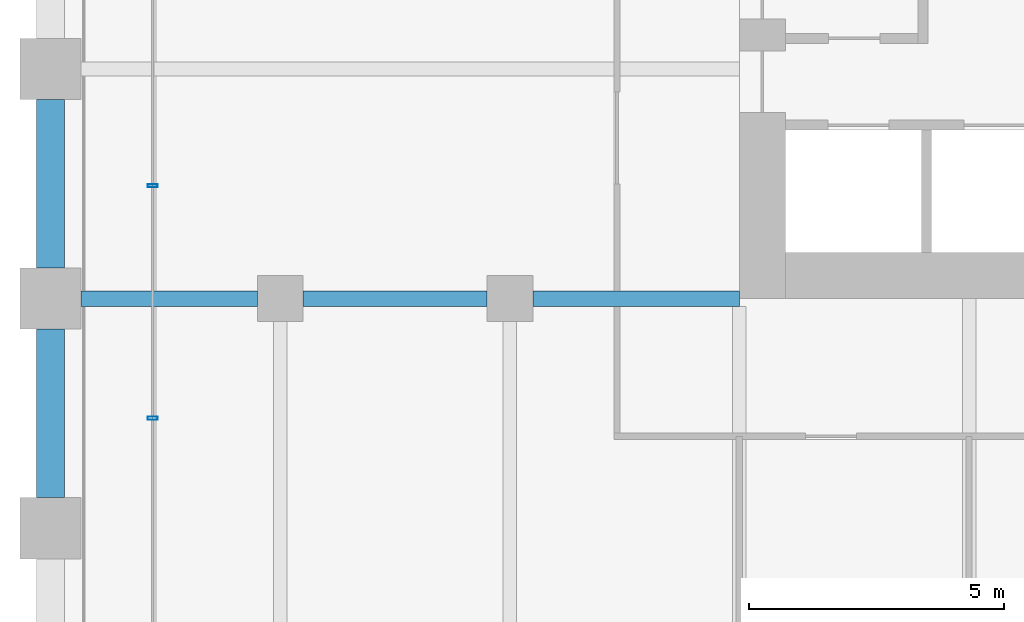
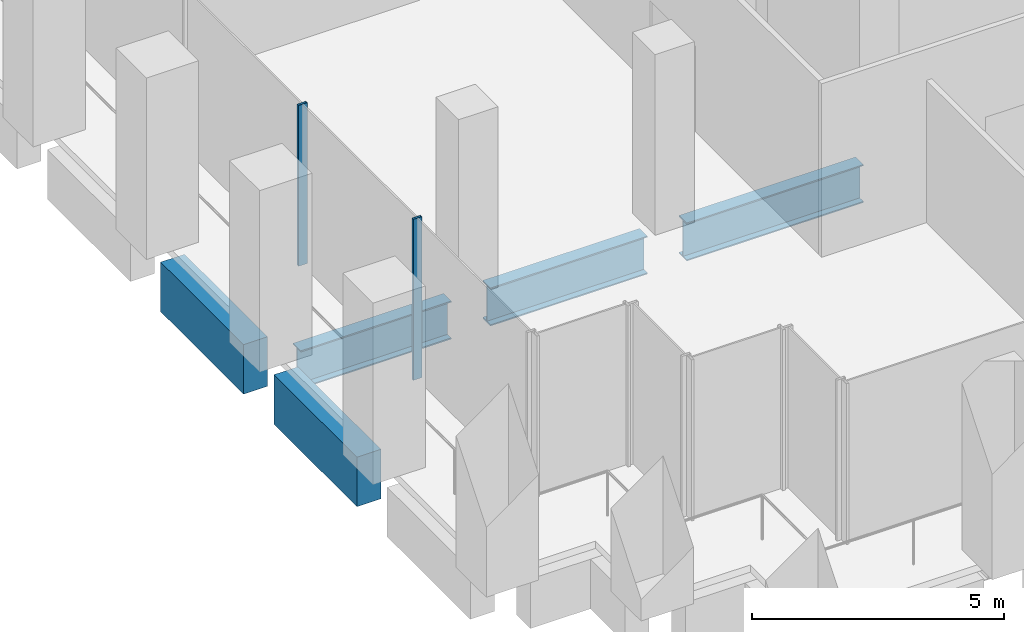
# One storey, part 4 of 36: 5 beams, 2 members, 1 element without a shape of its own.
"""IFC4 building model written with IfcOpenShell, lengths in metres."""

import ifcopenshell
import ifcopenshell.guid

model = None  # the IFC model being written
_history = None  # IfcOwnerHistory: only IFC2X3 demands one
_inside = {}  # id of a spatial element -> (the spatial element, [elements in it])
_under = {}  # id of a project, library or spatial element -> (it, [spatial elements below it])
_declared = {}  # id of a project -> (the project, [libraries it declares])
_typed = {}  # id of a type object -> (the type object, [elements of that type])
_made_of = {}  # id of a material, layer set ... -> (it, [elements and type objects made of it])


def new_model(schema):
    """Start an empty IFC model of exactly this schema.

    Asked for "IFC4X3", IfcOpenShell would pick the latest addendum, in which some entities
    have other attributes; the version numbers below select the first issue.
    IFC2X3 requires an IfcOwnerHistory on every rooted entity: one is made here for all.
    """
    global model, _history
    if schema == "IFC4X3":
        model = ifcopenshell.file(schema_version=(4, 3, 0, 0))
    else:
        model = ifcopenshell.file(schema=schema)
    _inside.clear()
    _under.clear()
    _declared.clear()
    _typed.clear()
    _made_of.clear()
    _history = None
    if model.schema == "IFC2X3":
        org = make("IfcOrganization", Name="unknown")
        user = make(
            "IfcPersonAndOrganization",
            ThePerson=make("IfcPerson", FamilyName="unknown"),
            TheOrganization=org,
        )
        app = make(
            "IfcApplication",
            ApplicationDeveloper=org,
            Version="unknown",
            ApplicationFullName="unknown",
            ApplicationIdentifier="unknown",
        )
        _history = make(
            "IfcOwnerHistory",
            OwningUser=user,
            OwningApplication=app,
            ChangeAction="ADDED",
            CreationDate=0,
        )
    return model


def make(cls, **values):
    """One entity of the class cls with the attributes given. An attribute that is None is left unset."""
    return model.create_entity(
        cls, **{name: value for name, value in values.items() if value is not None}
    )


def rooted(cls, **values):
    """An entity with a GlobalId (a new one), such as an element, a storey or a relation."""
    return make(cls, GlobalId=ifcopenshell.guid.new(), OwnerHistory=_history, **values)


def si_unit(unit_type, name, prefix=None):
    """IfcSIUnit, for example si_unit("LENGTHUNIT", "METRE", prefix="MILLI")."""
    return make("IfcSIUnit", UnitType=unit_type, Prefix=prefix, Name=name)


def assignment(units):
    """IfcUnitAssignment: the units of a project."""
    return None if units is None else make("IfcUnitAssignment", Units=units)


def point(xyz):
    """IfcCartesianPoint."""
    return None if xyz is None else make("IfcCartesianPoint", Coordinates=xyz)


def direction(xyz):
    """IfcDirection."""
    return None if xyz is None else make("IfcDirection", DirectionRatios=xyz)


def frame(location, z_axis=None, x_axis=None):
    """IfcAxis2Placement3D, a coordinate frame: its origin and axes. An axis left out is left unset."""
    return make(
        "IfcAxis2Placement3D",
        Location=point(location),
        Axis=direction(z_axis),
        RefDirection=direction(x_axis),
    )


def frame_2d(location, x_axis=None):
    """IfcAxis2Placement2D, a coordinate frame in the plane: its origin and x axis."""
    return make(
        "IfcAxis2Placement2D", Location=point(location), RefDirection=direction(x_axis)
    )


def origin():
    """The frame at (0, 0, 0) with its axes left unset."""
    return frame((0.0, 0.0, 0.0))


def origin_2d():
    """The frame at (0, 0) in the plane with its x axis left unset."""
    return frame_2d((0.0, 0.0))


def place(relative_to, where):
    """IfcLocalPlacement: puts the frame where relative to a parent placement (None: the world)."""
    return make(
        "IfcLocalPlacement", PlacementRelTo=relative_to, RelativePlacement=where
    )


def context(
    kind, dimensions, precision=None, world=None, true_north=None, identifier=None
):
    """IfcGeometricRepresentationContext, for example the 3D "Model" context."""
    return make(
        "IfcGeometricRepresentationContext",
        ContextIdentifier=identifier,
        ContextType=kind,
        CoordinateSpaceDimension=dimensions,
        Precision=precision,
        WorldCoordinateSystem=world,
        TrueNorth=true_north,
    )


def subcontext(parent, identifier, kind, view, scale=None):
    """IfcGeometricRepresentationSubContext, for example "Body" below "Model"."""
    return make(
        "IfcGeometricRepresentationSubContext",
        ContextIdentifier=identifier,
        ContextType=kind,
        ParentContext=parent,
        TargetScale=scale,
        TargetView=view,
    )


def project(units=None, contexts=None):
    """IfcProject with its units and contexts."""
    return rooted(
        "IfcProject",
        Name="project",
        RepresentationContexts=contexts,
        UnitsInContext=assignment(units),
    )


def spatial(cls, under=None, at=None, **own):
    """A site, building, storey or space (cls), placed at a placement, below another one or the project."""
    s = rooted(cls, ObjectPlacement=at, **own)
    if under is not None:
        _under.setdefault(under.id(), (under, []))[1].append(s)
    return s


def profile(cls, at=None, kind="AREA", **sizes):
    """A parametric profile (cls). Its sizes go by their IFC names, for example OverallWidth=200.0."""
    return make(cls, ProfileType=kind, Position=at, **sizes)


def rectangle(**sizes):
    """IfcRectangleProfileDef."""
    return profile("IfcRectangleProfileDef", **sizes)


def hollow_rectangle(**sizes):
    """IfcRectangleHollowProfileDef."""
    return profile("IfcRectangleHollowProfileDef", **sizes)


def i_section(**sizes):
    """IfcIShapeProfileDef."""
    return profile("IfcIShapeProfileDef", **sizes)


def extrude(swept, where, along, depth):
    """IfcExtrudedAreaSolid: the profile swept, set in the frame where, extruded along a direction by depth."""
    return make(
        "IfcExtrudedAreaSolid",
        SweptArea=swept,
        Position=where,
        ExtrudedDirection=direction(along),
        Depth=depth,
    )


def shape(context_of_items, identifier, shape_type, items):
    """IfcShapeRepresentation: the items that make up one representation, for example the "Body"."""
    return make(
        "IfcShapeRepresentation",
        ContextOfItems=context_of_items,
        RepresentationIdentifier=identifier,
        RepresentationType=shape_type,
        Items=items,
    )


def material(Name=None, Category=None):
    """IfcMaterial."""
    return make("IfcMaterial", Name=Name, Category=Category)


def material_profile(
    of_material, cross_section, Name=None, Category=None, Priority=None
):
    """IfcMaterialProfile: a cross section and its material."""
    return make(
        "IfcMaterialProfile",
        Name=Name,
        Material=of_material,
        Profile=cross_section,
        Priority=Priority,
        Category=Category,
    )


def profile_set(profiles, Name=None, composite=None):
    """IfcMaterialProfileSet."""
    return make(
        "IfcMaterialProfileSet",
        Name=Name,
        MaterialProfiles=profiles,
        CompositeProfile=composite,
    )


def made_of(thing, what):
    """Note that an element or type object is made of a material, layer set ...; save() writes the relation."""
    if what is not None:
        _made_of.setdefault(what.id(), (what, []))[1].append(thing)
    return thing


def type_object(cls, material=None, **own):
    """A type object (cls), such as IfcWallType, which elements share."""
    return made_of(rooted(cls, **own), material)


def element(
    cls,
    number,
    at=None,
    inside=None,
    cuts=None,
    type_object=None,
    material=None,
    context=None,
    identifier="Body",
    shape_type=None,
    held_by="IfcProductDefinitionShape",
    body=None,
    shapes=None,
    **own,
):
    """One element of the class cls, such as IfcWall. Its Tag is "e" and its number.

    at: its placement. inside: the storey or other place that contains it. cuts: it is an
    opening in that element (IfcRelVoidsElement). A single representation is given by context,
    identifier, shape_type and body (its items); several are given by shapes. held_by: the class
    of the entity that holds the representations. save() writes the other relations.
    """
    e = rooted(cls, Tag="e%d" % number, ObjectPlacement=at, **own)
    if body is not None:
        shapes = [shape(context, identifier, shape_type, body)]
    if shapes is not None:
        e.Representation = make(held_by, Representations=shapes)
    if inside is not None:
        _inside.setdefault(inside.id(), (inside, []))[1].append(e)
    if cuts is not None:
        rooted(
            "IfcRelVoidsElement", RelatingBuildingElement=cuts, RelatedOpeningElement=e
        )
    if type_object is not None:
        _typed.setdefault(type_object.id(), (type_object, []))[1].append(e)
    return made_of(e, material)


def aggregate(whole, parts):
    """IfcRelAggregates: a whole, such as a stair, and the parts it consists of."""
    return rooted("IfcRelAggregates", RelatingObject=whole, RelatedObjects=parts)


def save(model, path):
    """Write the relations noted so far, then the file.

    IfcRelAggregates (storeys below a building ...), IfcRelContainedInSpatialStructure (elements
    in a storey), IfcRelDefinesByType, IfcRelAssociatesMaterial and IfcRelDeclares: one each for
    every whole, place, type object, material and project.
    """
    for whole, parts in _under.values():
        aggregate(whole, parts)
    for where, things in _inside.values():
        rooted(
            "IfcRelContainedInSpatialStructure",
            RelatedElements=things,
            RelatingStructure=where,
        )
    for kind, things in _typed.values():
        rooted("IfcRelDefinesByType", RelatedObjects=things, RelatingType=kind)
    for what, things in _made_of.values():
        rooted("IfcRelAssociatesMaterial", RelatedObjects=things, RelatingMaterial=what)
    for by, libraries in _declared.values():
        rooted("IfcRelDeclares", RelatingContext=by, RelatedDefinitions=libraries)
    model.write(path)


model = new_model("IFC4")

# Units and contexts
model_context = context("Model", 3, precision=1e-05, world=origin(), true_north=direction((0.0, 1.0)))
body_context = subcontext(model_context, "Body", "Model", "MODEL_VIEW")
ifc_project = project(units=[si_unit("LENGTHUNIT", "METRE"), si_unit("AREAUNIT", "SQUARE_METRE"), si_unit("VOLUMEUNIT", "CUBIC_METRE"), si_unit("PLANEANGLEUNIT", "RADIAN"), si_unit("MASSUNIT", "GRAM", prefix="KILO")], contexts=[model_context])

# Site, building, storey
site_placement = place(None, origin())
site = spatial("IfcSite", under=ifc_project, at=site_placement, CompositionType="ELEMENT")
building_placement = place(site_placement, origin())
building = spatial("IfcBuilding", under=site, at=building_placement, Name="Altepetl Exchange Towers", CompositionType="ELEMENT")
storey_placement = place(building_placement, frame((0.0, 0.0, 38.60009765625)))
storey = spatial("IfcBuildingStorey", under=building, at=storey_placement, Name="L08", CompositionType="ELEMENT", Elevation=38.60009765625)

# Beams
ifc_material_1 = material(Name="Steel S355", Category="steel")
ifc_material_profile_1 = material_profile(ifc_material_1, i_section(OverallWidth=0.306884765625, OverallDepth=0.923095703125, WebThickness=0.018310546875, FlangeThickness=0.030029296875, at=origin_2d()), Name="W36X182")
ifc_profile_set_1 = profile_set([ifc_material_profile_1], Name="Steel S355")
beam_type_1 = type_object("IfcBeamType", Name="Girder W36X182", PredefinedType="BEAM", material=ifc_profile_set_1)
beam_1_placement = place(storey_placement, frame((40.5, 40.5, -0.63671875), z_axis=(-1.0, 0.0, 0.0), x_axis=(0.0, -1.0, 0.0)))
element("IfcBeam", 1, at=beam_1_placement, inside=storey, type_object=beam_type_1, Name="gd:A:L08:009", PredefinedType="BEAM", context=body_context, shape_type="SweptSolid", body=[
    extrude(i_section(OverallWidth=0.306884765625, OverallDepth=0.923095703125, WebThickness=0.018310546875, FlangeThickness=0.030029296875, at=origin_2d()), origin(), (0.0, 0.0, 1.0), 4.050048828125),
])
beam_2_placement = place(storey_placement, frame((35.550048828125, 40.5, -0.63671875), z_axis=(-1.0, 0.0, 0.0), x_axis=(0.0, -1.0, 0.0)))
element("IfcBeam", 2, at=beam_2_placement, inside=storey, type_object=beam_type_1, Name="gd:A:L08:010", PredefinedType="BEAM", context=body_context, shape_type="SweptSolid", body=[
    extrude(i_section(OverallWidth=0.306884765625, OverallDepth=0.923095703125, WebThickness=0.018310546875, FlangeThickness=0.030029296875, at=origin_2d()), origin(), (0.0, 0.0, 1.0), 3.60009765625),
])
beam_3_placement = place(storey_placement, frame((31.050048828125, 40.5, -0.63671875), z_axis=(-1.0, 0.0, 0.0), x_axis=(0.0, -1.0, 0.0)))
element("IfcBeam", 3, at=beam_3_placement, inside=storey, type_object=beam_type_1, Name="gd:A:L08:011", PredefinedType="BEAM", context=body_context, shape_type="SweptSolid", body=[
    extrude(i_section(OverallWidth=0.306884765625, OverallDepth=0.923095703125, WebThickness=0.018310546875, FlangeThickness=0.030029296875, at=origin_2d()), origin(), (0.0, 0.0, 1.0), 3.449951171875),
])

# Curtain wall, members
ifc_material_2 = material(Name="Aluminium 6063-T6 glazing", Category="aluminium")
curtain_wall_type = type_object("IfcCurtainWallType", Name="Trading floor glazing system", PredefinedType="NOTDEFINED", material=ifc_material_2)
curtain_wall_placement = place(storey_placement, origin())
curtain_wall = element("IfcCurtainWall", 4, at=curtain_wall_placement, inside=storey, type_object=curtain_wall_type, Name="CW2 run", PredefinedType="NOTDEFINED")
ifc_material_3 = material(Name="Aluminium 6063-T6", Category="aluminium")
ifc_material_profile_2 = material_profile(ifc_material_3, hollow_rectangle(XDim=0.06005859375, YDim=0.199951171875, WallThickness=0.0029296875, at=origin_2d()), Name="Mullion 60x200 aluminium")
ifc_profile_set_2 = profile_set([ifc_material_profile_2], Name="Aluminium 6063-T6")
member_type = type_object("IfcMemberType", Name="Mullion 60x200 aluminium", PredefinedType="MULLION", material=ifc_profile_set_2)
member_1_placement = place(storey_placement, frame((29.0, 42.71435546875, 0.0), z_axis=(0.0, 0.0, 1.0), x_axis=(0.0, -1.0, 0.0)))
member_1 = element("IfcMember", 5, at=member_1_placement, type_object=member_type, Name="MU2 mullion", PredefinedType="MULLION", context=body_context, shape_type="SweptSolid", body=[
    extrude(hollow_rectangle(XDim=0.06005859375, YDim=0.199951171875, WallThickness=0.0029296875, at=origin_2d()), origin(), (0.0, 0.0, 1.0), 3.89990234375),
])
member_2_placement = place(storey_placement, frame((29.0, 38.1572265625, 0.0), z_axis=(0.0, 0.0, 1.0), x_axis=(0.0, -1.0, 0.0)))
member_2 = element("IfcMember", 6, at=member_2_placement, type_object=member_type, Name="MU2 mullion", PredefinedType="MULLION", context=body_context, shape_type="SweptSolid", body=[
    extrude(hollow_rectangle(XDim=0.06005859375, YDim=0.199951171875, WallThickness=0.0029296875, at=origin_2d()), origin(), (0.0, 0.0, 1.0), 3.89990234375),
])
aggregate(curtain_wall, [member_1, member_2])

# Beams
ifc_material_4 = material(Name="Concrete C50/60 precast with cantera blanca facing", Category="concrete")
ifc_material_profile_3 = material_profile(ifc_material_4, rectangle(XDim=0.550048828125, YDim=1.199951171875, at=origin_2d()), Name="550 x 1200")
ifc_profile_set_3 = profile_set([ifc_material_profile_3], Name="Concrete C50/60 precast with cantera blanca facing")
beam_type_2 = type_object("IfcBeamType", Name="Spandrel beam 550x1200 cantera blanca", PredefinedType="SPANDREL", material=ifc_profile_set_3)
beam_4_placement = place(storey_placement, frame((27.0, 39.89990234375, -0.775146484375), z_axis=(0.0, -1.0, 0.0), x_axis=(1.0, 0.0, 0.0)))
element("IfcBeam", 7, at=beam_4_placement, inside=storey, type_object=beam_type_2, Name="sp:A:L08:042", PredefinedType="SPANDREL", context=body_context, shape_type="SweptSolid", body=[
    extrude(rectangle(XDim=0.550048828125, YDim=1.199951171875, at=origin_2d()), origin(), (0.0, 0.0, 1.0), 3.2998046875),
])
ifc_material_5 = material(Name="Concrete C50/60 precast with tezontle facing", Category="concrete")
ifc_material_profile_4 = material_profile(ifc_material_5, rectangle(XDim=0.550048828125, YDim=1.199951171875, at=origin_2d()), Name="550 x 1200")
ifc_profile_set_4 = profile_set([ifc_material_profile_4], Name="Concrete C50/60 precast with tezontle facing")
beam_type_3 = type_object("IfcBeamType", Name="Spandrel beam 550x1200 tezontle", PredefinedType="SPANDREL", material=ifc_profile_set_4)
beam_5_placement = place(storey_placement, frame((27.0, 44.39990234375, -0.775146484375), z_axis=(0.0, -1.0, 0.0), x_axis=(1.0, 0.0, 0.0)))
element("IfcBeam", 8, at=beam_5_placement, inside=storey, type_object=beam_type_3, Name="sp:A:L08:041", PredefinedType="SPANDREL", context=body_context, shape_type="SweptSolid", body=[
    extrude(rectangle(XDim=0.550048828125, YDim=1.199951171875, at=origin_2d()), origin(), (0.0, 0.0, 1.0), 3.2998046875),
])

save(model, "model.ifc")
